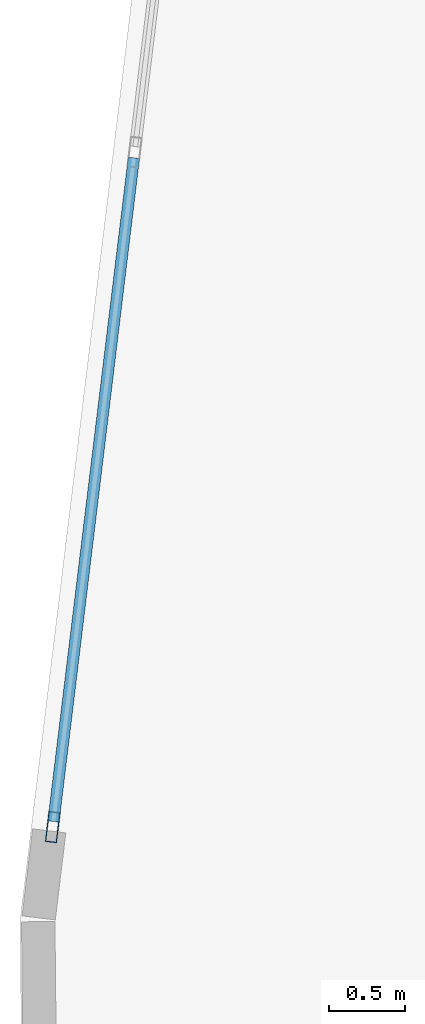
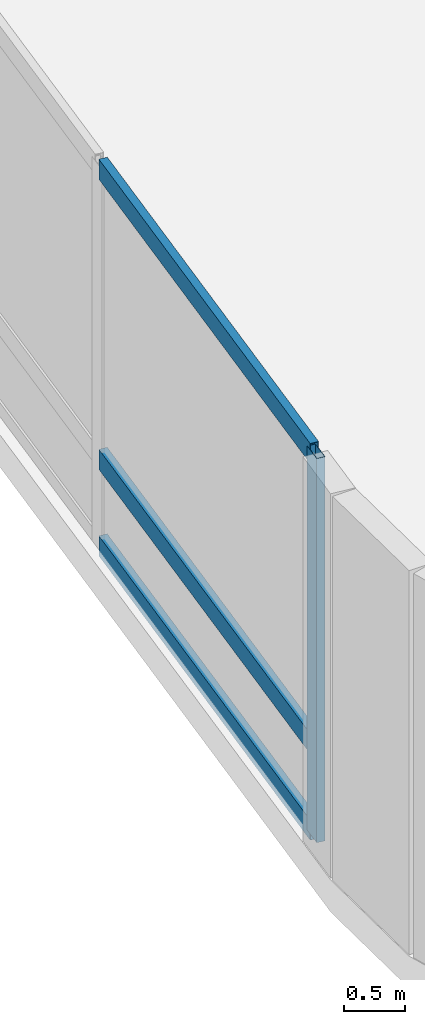
# One storey, part 2 of 22: 4 members, 1 element without a shape of its own.
"""IFC4 building model written with IfcOpenShell, lengths in metres."""

from ifc_helpers import new_model, si_unit, direction, frame, origin, origin_2d, place, context, subcontext, project, spatial, hollow_rectangle, extrude, material, layer, layer_set, material_profile, profile_set, type_object, element, aggregate, save


model = new_model("IFC4")

# Units and contexts
model_context = context("Model", 3, precision=1e-05, world=origin(), true_north=direction((0.0, 1.0)))
body_context = subcontext(model_context, "Body", "Model", "MODEL_VIEW")
ifc_project = project(units=[si_unit("LENGTHUNIT", "METRE"), si_unit("AREAUNIT", "SQUARE_METRE"), si_unit("VOLUMEUNIT", "CUBIC_METRE"), si_unit("PLANEANGLEUNIT", "RADIAN"), si_unit("MASSUNIT", "GRAM", prefix="KILO")], contexts=[model_context])

# Site, building, storey
site_placement = place(None, origin())
site = spatial("IfcSite", under=ifc_project, at=site_placement, CompositionType="ELEMENT")
building_placement = place(site_placement, origin())
building = spatial("IfcBuilding", under=site, at=building_placement, Name="Varnelok Gate Tower", CompositionType="ELEMENT")
storey_placement = place(building_placement, frame((0.0, 0.0, 116.89990234375)))
storey = spatial("IfcBuildingStorey", under=building, at=storey_placement, Name="L29", CompositionType="ELEMENT", Elevation=116.89990234375)

# Curtain wall, members
ifc_material = material(Name="Anodized Aluminum Alloy 6063-T6", Category="aluminium")
ifc_layer = layer(ifc_material, 0.179931640625)
ifc_layer_set = layer_set([ifc_layer], Name="Anodized Aluminum Alloy 6063-T6")
curtain_wall_type = type_object("IfcCurtainWallType", Name="CW2-ATRIUM-GLAZING", PredefinedType="USERDEFINED", material=ifc_layer_set)
curtain_wall_placement = place(storey_placement, origin())
curtain_wall = element("IfcCurtainWall", 1, at=curtain_wall_placement, inside=storey, type_object=curtain_wall_type, Name="L29 West End Vision Curtain Wall", ObjectType="UNITISED CURTAIN WALL", PredefinedType="USERDEFINED")
ifc_material_profile_1 = material_profile(ifc_material, hollow_rectangle(XDim=0.074951171875, YDim=0.199951171875, WallThickness=0.00390625, at=origin_2d()), Name="ALU200X75X4")
ifc_profile_set_1 = profile_set([ifc_material_profile_1], Name="Anodized Aluminum Alloy 6063-T6")
member_type_1 = type_object("IfcMemberType", Name="CW-MULL-200", PredefinedType="MULLION", material=ifc_profile_set_1)
member_1_placement = place(storey_placement, frame((2.497802734375, 13.871337890625, 0.0), z_axis=(0.0, 0.0, 1.0), x_axis=(-0.992732166735, 0.120344692987, 0.0)))
member_1 = element("IfcMember", 2, at=member_1_placement, type_object=member_type_1, Name="CW2 mullion 1", PredefinedType="MULLION", context=body_context, shape_type="SweptSolid", body=[
    extrude(hollow_rectangle(XDim=0.074951171875, YDim=0.199951171875, WallThickness=0.00390625, at=origin_2d()), origin(), (0.0, 0.0, 1.0), 3.830078125),
])
ifc_material_profile_2 = material_profile(ifc_material, hollow_rectangle(XDim=0.074951171875, YDim=0.199951171875, WallThickness=0.00390625, at=origin_2d()), Name="ALU200X75X4")
ifc_profile_set_2 = profile_set([ifc_material_profile_2], Name="Anodized Aluminum Alloy 6063-T6")
member_type_2 = type_object("IfcMemberType", Name="CW-TRAN-200", PredefinedType="USERDEFINED", material=ifc_profile_set_2)
member_2_placement = place(storey_placement, frame((2.50244140625, 13.908447265625, 0.03759765625), z_axis=(0.120354556512, 0.992730970972, 0.0), x_axis=(-0.992730970972, 0.120354556512, 0.0)))
member_2 = element("IfcMember", 3, at=member_2_placement, type_object=member_type_2, Name="CW2 transom 1.1", ObjectType="TRANSOM", PredefinedType="USERDEFINED", context=body_context, shape_type="SweptSolid", body=[
    extrude(hollow_rectangle(XDim=0.074951171875, YDim=0.199951171875, WallThickness=0.00390625, at=origin_2d()), origin(), (0.0, 0.0, 1.0), 4.40185546875),
])
member_3_placement = place(storey_placement, frame((2.50244140625, 13.908447265625, 0.900146484375), z_axis=(0.120354556512, 0.992730970972, 0.0), x_axis=(-0.992730970972, 0.120354556512, 0.0)))
member_3 = element("IfcMember", 4, at=member_3_placement, type_object=member_type_2, Name="CW2 transom 1.2", ObjectType="TRANSOM", PredefinedType="USERDEFINED", context=body_context, shape_type="SweptSolid", body=[
    extrude(hollow_rectangle(XDim=0.074951171875, YDim=0.199951171875, WallThickness=0.00390625, at=origin_2d()), origin(), (0.0, 0.0, 1.0), 4.40185546875),
])
member_4_placement = place(storey_placement, frame((2.50244140625, 13.908447265625, 3.79248046875), z_axis=(0.120354556512, 0.992730970972, 0.0), x_axis=(-0.992730970972, 0.120354556512, 0.0)))
member_4 = element("IfcMember", 5, at=member_4_placement, type_object=member_type_2, Name="CW2 transom 1.3", ObjectType="TRANSOM", PredefinedType="USERDEFINED", context=body_context, shape_type="SweptSolid", body=[
    extrude(hollow_rectangle(XDim=0.074951171875, YDim=0.199951171875, WallThickness=0.00390625, at=origin_2d()), origin(), (0.0, 0.0, 1.0), 4.40185546875),
])
aggregate(curtain_wall, [member_1, member_2, member_3, member_4])

save(model, "model.ifc")
